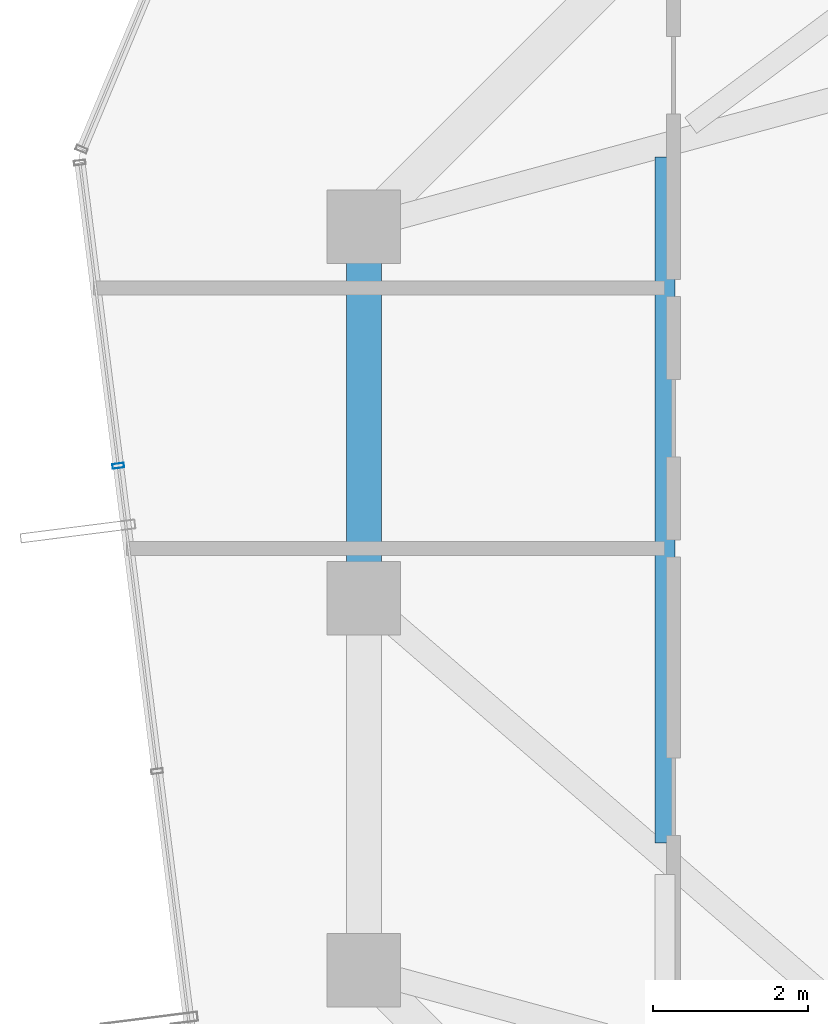
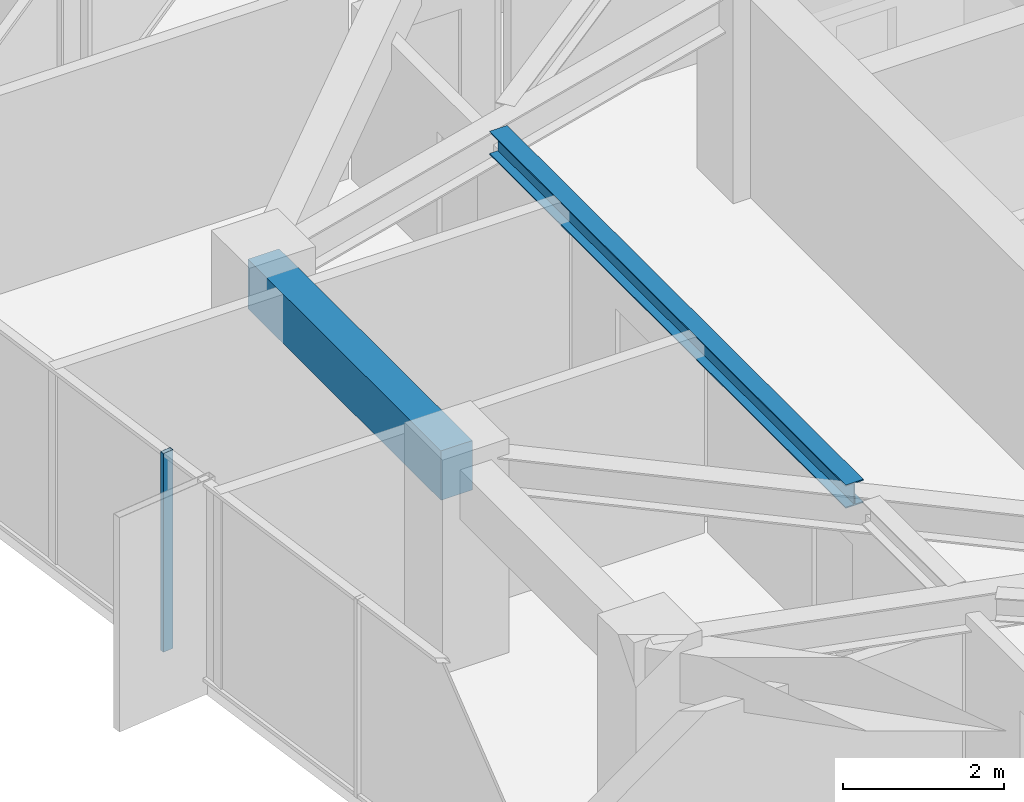
# One storey, part 12 of 32: 2 beams, 1 member, 1 element without a shape of its own.
"""IFC4 building model written with IfcOpenShell, lengths in metres."""

from ifc_helpers import new_model, si_unit, direction, frame, origin, origin_2d, place, context, subcontext, project, spatial, rectangle, hollow_rectangle, i_section, extrude, source, transform, mapped, material, layer, layer_set, material_profile, profile_set, type_object, element, aggregate, save


model = new_model("IFC4")

# Units and contexts
model_context = context("Model", 3, precision=1e-05, world=origin(), true_north=direction((0.0, 1.0)))
body_context = subcontext(model_context, "Body", "Model", "MODEL_VIEW")
ifc_project = project(units=[si_unit("LENGTHUNIT", "METRE"), si_unit("AREAUNIT", "SQUARE_METRE"), si_unit("VOLUMEUNIT", "CUBIC_METRE"), si_unit("PLANEANGLEUNIT", "RADIAN"), si_unit("MASSUNIT", "GRAM", prefix="KILO")], contexts=[model_context])

# Site, building, storey
site_placement = place(None, origin())
site = spatial("IfcSite", under=ifc_project, at=site_placement, CompositionType="ELEMENT")
building_placement = place(site_placement, origin())
building = spatial("IfcBuilding", under=site, at=building_placement, Name="Veraguas Prism Commons", CompositionType="ELEMENT")
storey_placement = place(building_placement, frame((0.0, 0.0, 182.10009765625)))
storey = spatial("IfcBuildingStorey", under=building, at=storey_placement, Name="L51", CompositionType="ELEMENT", Elevation=182.10009765625)

# Beams
ifc_material_1 = material(Name="Concrete C50/60", Category="concrete")
ifc_material_profile_1 = material_profile(ifc_material_1, rectangle(XDim=0.449951171875, YDim=0.75, at=origin_2d()), Name="RC450X750")
ifc_profile_set_1 = profile_set([ifc_material_profile_1], Name="Concrete C50/60")
beam_type_1 = type_object("IfcBeamType", Name="Perimeter Spandrel Upper RC 450x750", PredefinedType="SPANDREL", material=ifc_profile_set_1)
beam_1_placement = place(storey_placement, frame((9.10009765625, 28.800048828125, 2.639892578125), z_axis=(0.0, -1.0, 0.0), x_axis=(1.0, 0.0, 0.0)))
element("IfcBeam", 1, at=beam_1_placement, inside=storey, type_object=beam_type_1, Name="Perimeter Spandrel Beam L51-SP07", PredefinedType="SPANDREL", context=body_context, shape_type="SweptSolid", body=[
    extrude(rectangle(XDim=0.449951171875, YDim=0.75, at=origin_2d()), origin(), (0.0, 0.0, 1.0), 4.800048828125),
])
ifc_material_2 = material(Name="Steel ASTM A992 Grade 50", Category="steel")
ifc_material_profile_2 = material_profile(ifc_material_2, i_section(OverallWidth=0.25390625, OverallDepth=0.35302734375, WebThickness=0.009521484375, FlangeThickness=0.016357421875, at=origin_2d()), Name="W360X91")
ifc_profile_set_2 = profile_set([ifc_material_profile_2], Name="Steel ASTM A992 Grade 50")
beam_type_2 = type_object("IfcBeamType", Name="Upper Floor Joist W360x91", PredefinedType="JOIST", material=ifc_profile_set_2)
beam_2_placement = place(storey_placement, frame((12.988037109375, 29.697021484375, 2.83837890625), z_axis=(0.0, -1.0, 0.0), x_axis=(1.0, 0.0, 0.0)))
element("IfcBeam", 2, at=beam_2_placement, inside=storey, type_object=beam_type_2, Name="Composite Floor Joist L51-JS07", PredefinedType="JOIST", context=body_context, shape_type="SweptSolid", body=[
    extrude(i_section(OverallWidth=0.25390625, OverallDepth=0.35302734375, WebThickness=0.009521484375, FlangeThickness=0.016357421875, at=origin_2d()), origin(), (0.0, 0.0, 1.0), 8.85400390625),
])

# Curtain wall, member
ifc_material_3 = material(Name="Anodised aluminium EN AW-6063 T6", Category="aluminium")
ifc_layer = layer(ifc_material_3, 0.14990234375, Name="Unitised Flush Curtain Wall Zone 3", Category="aluminium")
ifc_layer_set = layer_set([ifc_layer], Name="Anodised aluminium EN AW-6063 T6")
curtain_wall_type = type_object("IfcCurtainWallType", Name="Unitised Flush Curtain Wall Zone 3", PredefinedType="NOTDEFINED", material=ifc_layer_set)
curtain_wall_placement = place(storey_placement, origin())
curtain_wall = element("IfcCurtainWall", 3, at=curtain_wall_placement, inside=storey, type_object=curtain_wall_type, Name="Tower Facade Curtain Wall L51-F3", PredefinedType="NOTDEFINED")
ifc_material_profile_3 = material_profile(ifc_material_3, hollow_rectangle(XDim=0.06005859375, YDim=0.14990234375, WallThickness=0.0029296875, at=origin_2d()), Name="AL60X150X3")
ifc_profile_set_3 = profile_set([ifc_material_profile_3], Name="Anodised aluminium EN AW-6063 T6")
member_type = type_object("IfcMemberType", Name="Curtain Wall Mullion Upper AL 60x150x3", PredefinedType="MULLION", material=ifc_profile_set_3)
shared_shape = source(origin(), body_context, "Body", "SweptSolid", [
    extrude(hollow_rectangle(XDim=0.06005859375, YDim=0.14990234375, WallThickness=0.0029296875, at=origin_2d()), origin(), (0.0, 0.0, 1.0), 3.014892578125),
])
member_placement = place(storey_placement, frame((5.929931640625, 25.7119140625, 0.0), z_axis=(0.0, 0.0, 1.0), x_axis=(0.126018904031, -0.992027840248, 0.0)))
member = element("IfcMember", 4, at=member_placement, type_object=member_type, Name="CW-Z3 Mullion 2", PredefinedType="MULLION", context=body_context, shape_type="MappedRepresentation", body=[
    mapped(shared_shape, transform((0.0, 0.0, 0.0), scale=1.0)),
])
aggregate(curtain_wall, [member])

save(model, "model.ifc")
